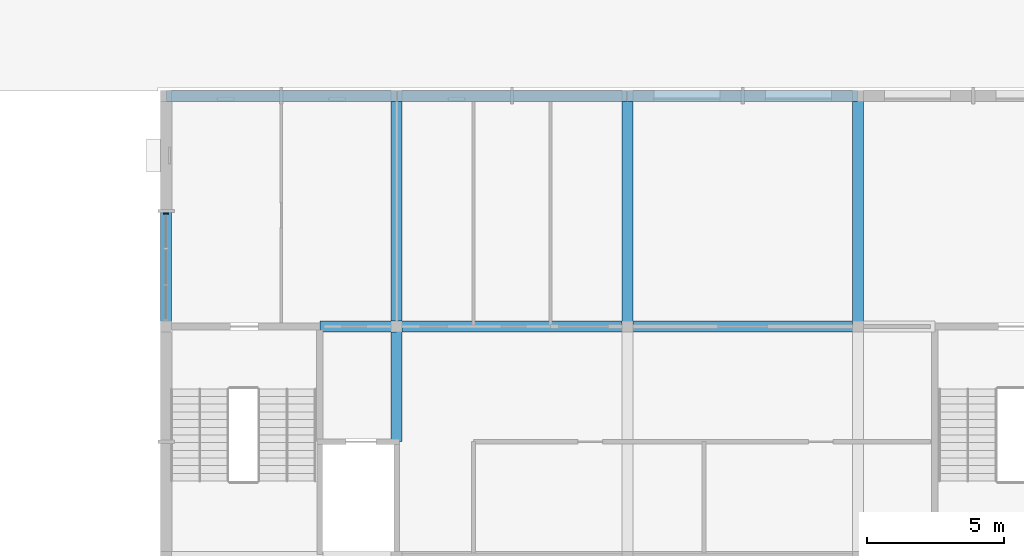
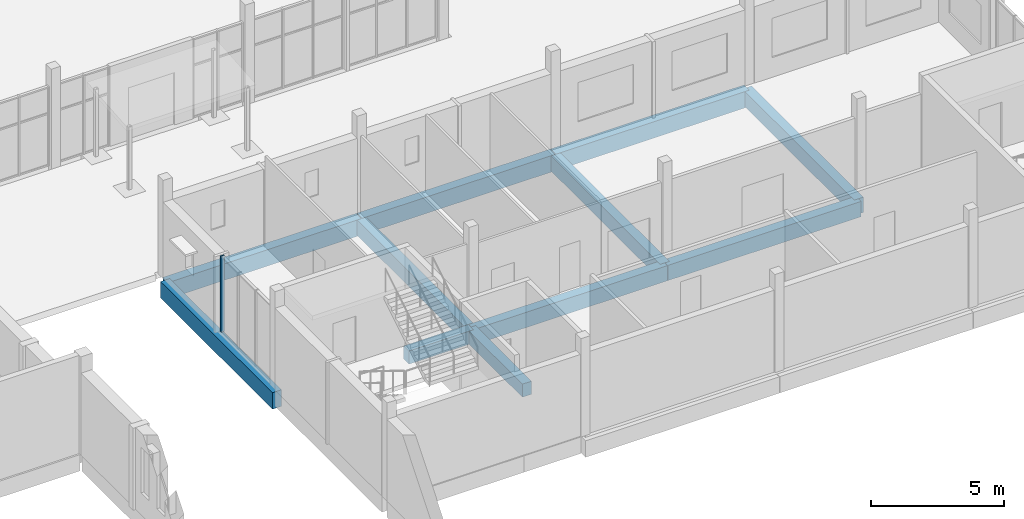
# One storey, part 22 of 60: 11 beams, 1 member, 1 element without a shape of its own.
"""IFC4 building model written with IfcOpenShell, lengths in metres."""

from ifc_helpers import new_model, si_unit, direction, frame, origin, origin_2d, place, context, subcontext, project, spatial, rectangle, extrude, material, material_profile, profile_set, type_object, element, aggregate, save


model = new_model("IFC4")

# Units and contexts
model_context = context("Model", 3, precision=1e-05, world=origin(), true_north=direction((0.0, 1.0)))
body_context = subcontext(model_context, "Body", "Model", "MODEL_VIEW")
ifc_project = project(units=[si_unit("LENGTHUNIT", "METRE"), si_unit("AREAUNIT", "SQUARE_METRE"), si_unit("VOLUMEUNIT", "CUBIC_METRE"), si_unit("PLANEANGLEUNIT", "RADIAN"), si_unit("MASSUNIT", "GRAM", prefix="KILO")], contexts=[model_context])

# Site, building, storey
site_placement = place(None, origin())
site = spatial("IfcSite", under=ifc_project, at=site_placement, CompositionType="ELEMENT")
building_placement = place(site_placement, origin())
building = spatial("IfcBuilding", under=site, at=building_placement, Name="Fescue Hill Polytechnic", CompositionType="ELEMENT")
storey_placement = place(building_placement, frame((0.0, 0.0, 4.5)))
storey = spatial("IfcBuildingStorey", under=building, at=storey_placement, Name="L01", CompositionType="ELEMENT", Elevation=4.5)

# Beams
ifc_material_1 = material(Name="Concrete 35 MPa", Category="concrete")
ifc_material_profile_1 = material_profile(ifc_material_1, rectangle(XDim=0.39990234375, YDim=0.60009765625, at=origin_2d()), Name="RC 400x600")
ifc_profile_set_1 = profile_set([ifc_material_profile_1], Name="Concrete 35 MPa")
beam_type_1 = type_object("IfcBeamType", Name="Beam RC 400x600", PredefinedType="BEAM", material=ifc_profile_set_1)
beam_1_placement = place(storey_placement, frame((131.60009765625, 42.0, -0.550048828125), z_axis=(1.0, 0.0, 0.0), x_axis=(0.0, 1.0, 0.0)))
element("IfcBeam", 1, at=beam_1_placement, inside=storey, type_object=beam_type_1, Name="BM-L01-0105", PredefinedType="BEAM", context=body_context, shape_type="SweptSolid", body=[
    extrude(rectangle(XDim=0.39990234375, YDim=0.60009765625, at=origin_2d()), origin(), (0.0, 0.0, 1.0), 2.789794921875),
])
beam_2_placement = place(storey_placement, frame((134.39990234375, 37.800048828125, -0.550048828125), z_axis=(0.0, 1.0, 0.0), x_axis=(-1.0, 0.0, 0.0)))
element("IfcBeam", 2, at=beam_2_placement, inside=storey, type_object=beam_type_1, Name="BM-L01-0107", PredefinedType="BEAM", context=body_context, shape_type="SweptSolid", body=[
    extrude(rectangle(XDim=0.39990234375, YDim=0.60009765625, at=origin_2d()), origin(), (0.0, 0.0, 1.0), 4.199951171875),
])
ifc_material_profile_2 = material_profile(ifc_material_1, rectangle(XDim=0.39990234375, YDim=0.699951171875, at=origin_2d()), Name="RC 400x700")
ifc_profile_set_2 = profile_set([ifc_material_profile_2], Name="Concrete 35 MPa")
beam_type_2 = type_object("IfcBeamType", Name="Beam RC 400x700", PredefinedType="BEAM", material=ifc_profile_set_2)
beam_3_placement = place(storey_placement, frame((134.39990234375, 42.0, -0.60009765625), z_axis=(0.0, 1.0, 0.0), x_axis=(-1.0, 0.0, 0.0)))
element("IfcBeam", 3, at=beam_3_placement, inside=storey, type_object=beam_type_2, Name="BM-L01-0108", PredefinedType="BEAM", context=body_context, shape_type="SweptSolid", body=[
    extrude(rectangle(XDim=0.39990234375, YDim=0.699951171875, at=origin_2d()), origin(), (0.0, 0.0, 1.0), 8.39990234375),
])
beam_4_placement = place(storey_placement, frame((134.409912109375, 42.0, -0.60009765625), z_axis=(1.0, 0.0, 0.0), x_axis=(0.0, 1.0, 0.0)))
element("IfcBeam", 4, at=beam_4_placement, inside=storey, type_object=beam_type_2, Name="BM-L01-0109", PredefinedType="BEAM", context=body_context, shape_type="SweptSolid", body=[
    extrude(rectangle(XDim=0.39990234375, YDim=0.699951171875, at=origin_2d()), origin(), (0.0, 0.0, 1.0), 8.380126953125),
])
beam_5_placement = place(storey_placement, frame((142.800048828125, 42.0, -0.60009765625), z_axis=(0.0, 1.0, 0.0), x_axis=(-1.0, 0.0, 0.0)))
element("IfcBeam", 5, at=beam_5_placement, inside=storey, type_object=beam_type_2, Name="BM-L01-0112", PredefinedType="BEAM", context=body_context, shape_type="SweptSolid", body=[
    extrude(rectangle(XDim=0.39990234375, YDim=0.699951171875, at=origin_2d()), origin(), (0.0, 0.0, 1.0), 8.39990234375),
])
beam_6_placement = place(storey_placement, frame((142.81005859375, 42.0, -0.60009765625), z_axis=(1.0, 0.0, 0.0), x_axis=(0.0, 1.0, 0.0)))
element("IfcBeam", 6, at=beam_6_placement, inside=storey, type_object=beam_type_2, Name="BM-L01-0114", PredefinedType="BEAM", context=body_context, shape_type="SweptSolid", body=[
    extrude(rectangle(XDim=0.39990234375, YDim=0.699951171875, at=origin_2d()), origin(), (0.0, 0.0, 1.0), 8.3798828125),
])
beam_7_placement = place(storey_placement, frame((151.199951171875, 42.0, -0.60009765625), z_axis=(0.0, 1.0, 0.0), x_axis=(-1.0, 0.0, 0.0)))
element("IfcBeam", 7, at=beam_7_placement, inside=storey, type_object=beam_type_2, Name="BM-L01-0117", PredefinedType="BEAM", context=body_context, shape_type="SweptSolid", body=[
    extrude(rectangle(XDim=0.39990234375, YDim=0.699951171875, at=origin_2d()), origin(), (0.0, 0.0, 1.0), 8.39990234375),
])
ifc_material_profile_3 = material_profile(ifc_material_1, rectangle(XDim=0.39990234375, YDim=0.75, at=origin_2d()), Name="RC 400x750")
ifc_profile_set_3 = profile_set([ifc_material_profile_3], Name="Concrete 35 MPa")
beam_type_3 = type_object("IfcBeamType", Name="Beam RC 400x750", PredefinedType="BEAM", material=ifc_profile_set_3)
beam_8_placement = place(storey_placement, frame((126.0, 42.0, -0.625), z_axis=(0.0, 1.0, 0.0), x_axis=(-1.0, 0.0, 0.0)))
element("IfcBeam", 8, at=beam_8_placement, inside=storey, type_object=beam_type_3, Name="BM-L01-0103", PredefinedType="BEAM", context=body_context, shape_type="SweptSolid", body=[
    extrude(rectangle(XDim=0.39990234375, YDim=0.75, at=origin_2d()), origin(), (0.0, 0.0, 1.0), 8.39990234375),
])
beam_9_placement = place(storey_placement, frame((126.010009765625, 50.39990234375, -0.625), z_axis=(1.0, 0.0, 0.0), x_axis=(0.0, 1.0, 0.0)))
element("IfcBeam", 9, at=beam_9_placement, inside=storey, type_object=beam_type_3, Name="BM-L01-0104", PredefinedType="BEAM", context=body_context, shape_type="SweptSolid", body=[
    extrude(rectangle(XDim=0.39990234375, YDim=0.75, at=origin_2d()), origin(), (0.0, 0.0, 1.0), 8.3798828125),
])
beam_10_placement = place(storey_placement, frame((134.409912109375, 50.39990234375, -0.625), z_axis=(1.0, 0.0, 0.0), x_axis=(0.0, 1.0, 0.0)))
element("IfcBeam", 10, at=beam_10_placement, inside=storey, type_object=beam_type_3, Name="BM-L01-0110", PredefinedType="BEAM", context=body_context, shape_type="SweptSolid", body=[
    extrude(rectangle(XDim=0.39990234375, YDim=0.75, at=origin_2d()), origin(), (0.0, 0.0, 1.0), 8.380126953125),
])
beam_11_placement = place(storey_placement, frame((142.81005859375, 50.39990234375, -0.625), z_axis=(1.0, 0.0, 0.0), x_axis=(0.0, 1.0, 0.0)))
element("IfcBeam", 11, at=beam_11_placement, inside=storey, type_object=beam_type_3, Name="BM-L01-0115", PredefinedType="BEAM", context=body_context, shape_type="SweptSolid", body=[
    extrude(rectangle(XDim=0.39990234375, YDim=0.75, at=origin_2d()), origin(), (0.0, 0.0, 1.0), 8.3798828125),
])

# Curtain wall, member
ifc_material_2 = material(Name="Glass", Category="glass")
curtain_wall_type = type_object("IfcCurtainWallType", Name="Curtain wall structural glazing", PredefinedType="NOTDEFINED", material=ifc_material_2)
curtain_wall_placement = place(storey_placement, origin())
curtain_wall = element("IfcCurtainWall", 12, at=curtain_wall_placement, inside=storey, type_object=curtain_wall_type, Name="CW-L01-V3-X1", PredefinedType="NOTDEFINED")
ifc_material_3 = material(Name="Powder-coated aluminium", Category="aluminium")
ifc_material_profile_4 = material_profile(ifc_material_3, rectangle(XDim=0.159912109375, YDim=0.06005859375, at=origin_2d()), Name="Mullion aluminium 60x160")
ifc_profile_set_4 = profile_set([ifc_material_profile_4], Name="Powder-coated aluminium")
member_type = type_object("IfcMemberType", Name="Mullion aluminium 60x160", PredefinedType="MULLION", material=ifc_profile_set_4)
member_placement = place(storey_placement, frame((126.0, 46.110107421875, 0.0), z_axis=(0.0, 0.0, 1.0), x_axis=(1.0, 0.0, 0.0)))
member = element("IfcMember", 13, at=member_placement, type_object=member_type, Name="CW116 mullion 1", PredefinedType="MULLION", context=body_context, shape_type="SweptSolid", body=[
    extrude(rectangle(XDim=0.159912109375, YDim=0.06005859375, at=origin_2d()), origin(), (0.0, 0.0, 1.0), 3.47998046875),
])
aggregate(curtain_wall, [member])

save(model, "model.ifc")
